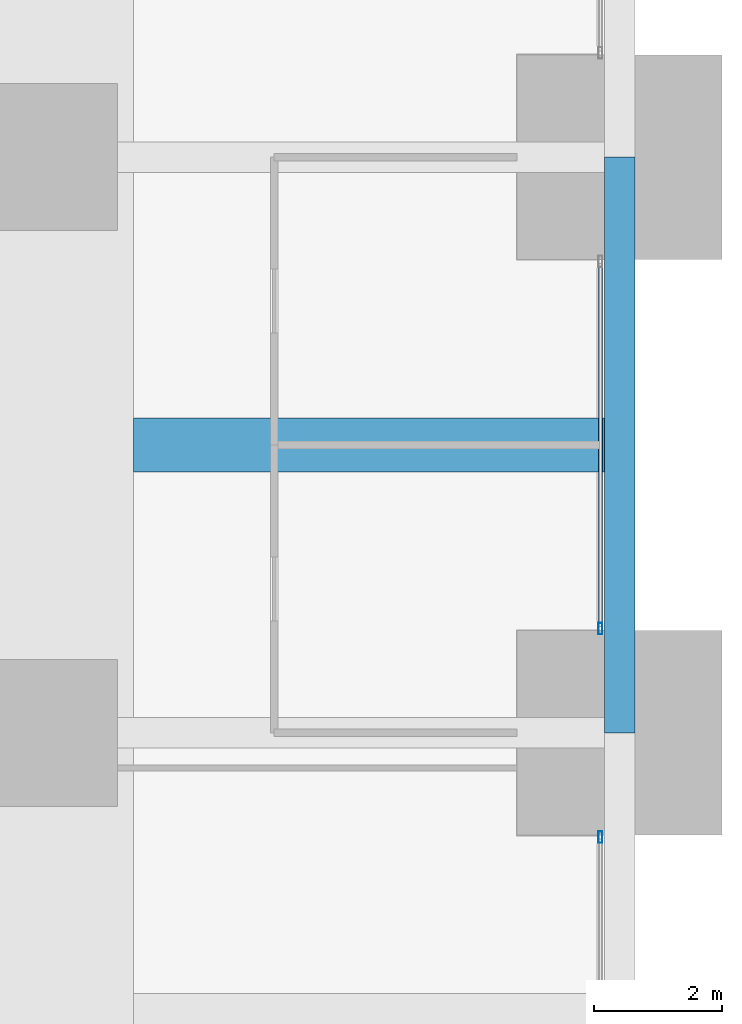
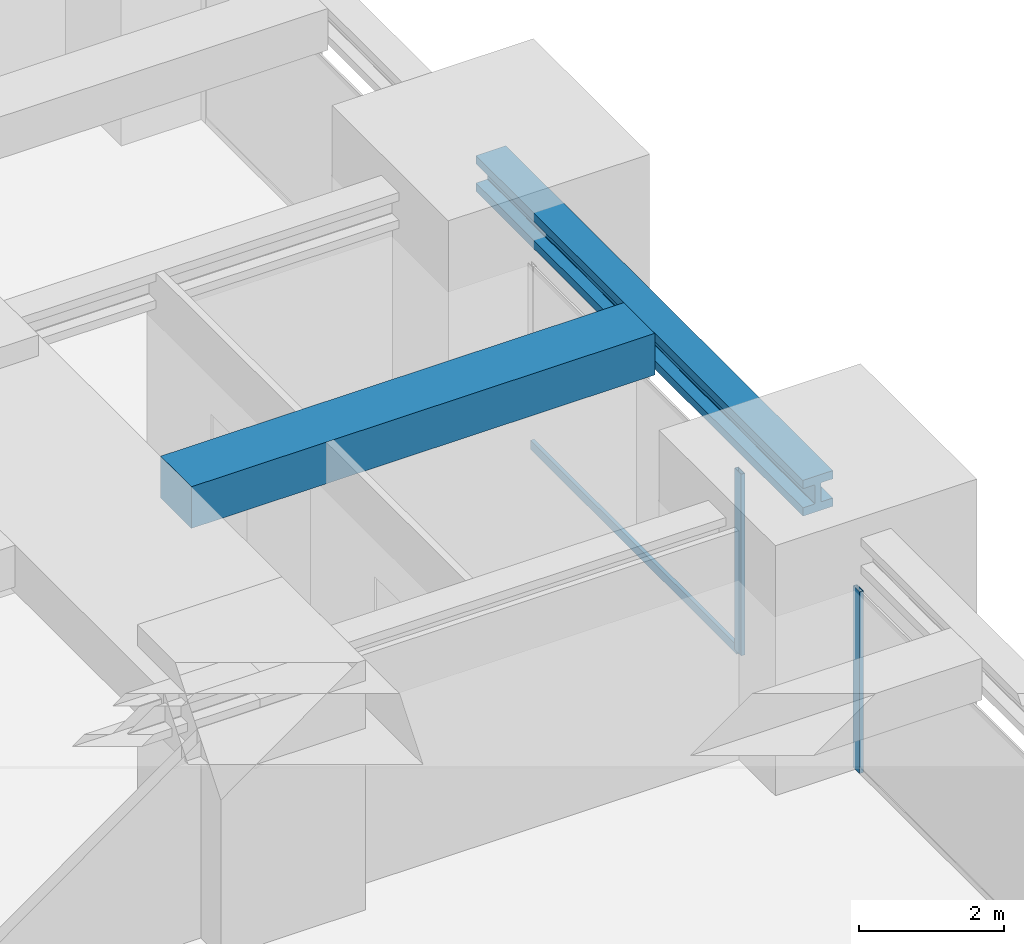
# One storey, part 19 of 42: 3 members, 2 beams, 2 elements without a shape of their own.
"""IFC4 building model written with IfcOpenShell, lengths in metres."""

from ifc_helpers import new_model, si_unit, direction, frame, origin, origin_2d, place, context, subcontext, project, spatial, rectangle, hollow_rectangle, i_section, extrude, material, material_profile, profile_set, type_object, element, aggregate, save


model = new_model("IFC4")

# Units and contexts
model_context = context("Model", 3, precision=1e-05, world=origin(), true_north=direction((0.0, 1.0)))
body_context = subcontext(model_context, "Body", "Model", "MODEL_VIEW")
ifc_project = project(units=[si_unit("LENGTHUNIT", "METRE"), si_unit("AREAUNIT", "SQUARE_METRE"), si_unit("VOLUMEUNIT", "CUBIC_METRE"), si_unit("PLANEANGLEUNIT", "RADIAN"), si_unit("MASSUNIT", "GRAM", prefix="KILO")], contexts=[model_context])

# Site, building, storey
site_placement = place(None, origin())
site = spatial("IfcSite", under=ifc_project, at=site_placement, CompositionType="ELEMENT")
building_placement = place(site_placement, origin())
building = spatial("IfcBuilding", under=site, at=building_placement, Name="Zorevar Civic Tower", CompositionType="ELEMENT")
storey_placement = place(building_placement, frame((0.0, 0.0, 75.800048828125)))
storey = spatial("IfcBuildingStorey", under=building, at=storey_placement, Name="L18", CompositionType="ELEMENT", Elevation=75.800048828125)

# Beams
ifc_material_1 = material(Name="Concrete C50/60", Category="concrete")
ifc_material_profile_1 = material_profile(ifc_material_1, rectangle(XDim=0.85009765625, YDim=0.699951171875, at=origin_2d()), Name="RC 850x700")
ifc_profile_set_1 = profile_set([ifc_material_profile_1], Name="Concrete C50/60")
beam_type_1 = type_object("IfcBeamType", Name="Beam RC 850x700", PredefinedType="BEAM", material=ifc_profile_set_1)
beam_1_placement = place(storey_placement, frame((55.39990234375, 22.5, 3.5), z_axis=(1.0, 0.0, 0.0), x_axis=(0.0, 1.0, 0.0)))
element("IfcBeam", 1, at=beam_1_placement, inside=storey, type_object=beam_type_1, Name="Secondary beam L19", PredefinedType="BEAM", context=body_context, shape_type="SweptSolid", body=[
    extrude(rectangle(XDim=0.85009765625, YDim=0.699951171875, at=origin_2d()), origin(), (0.0, 0.0, 1.0), 7.362060546875),
])
ifc_material_2 = material(Name="Steel S460M (HISTAR 460)", Category="steel")
ifc_material_profile_2 = material_profile(ifc_material_2, i_section(OverallWidth=0.47607421875, OverallDepth=0.60009765625, WebThickness=0.10009765625, FlangeThickness=0.139892578125, FilletRadius=0.014892578125, at=origin_2d()), Name="HD 400x1299")
ifc_profile_set_2 = profile_set([ifc_material_profile_2], Name="Steel S460M (HISTAR 460)")
beam_type_2 = type_object("IfcBeamType", Name="Belt chord HD 400x1299", PredefinedType="BEAM", material=ifc_profile_set_2)
beam_2_placement = place(storey_placement, frame((63.0, 18.0, 3.550048828125), z_axis=(0.0, 1.0, 0.0), x_axis=(-1.0, 0.0, 0.0)))
element("IfcBeam", 2, at=beam_2_placement, inside=storey, type_object=beam_type_2, Name="Belt chord L19", PredefinedType="BEAM", context=body_context, shape_type="SweptSolid", body=[
    extrude(i_section(OverallWidth=0.47607421875, OverallDepth=0.60009765625, WebThickness=0.10009765625, FlangeThickness=0.139892578125, FilletRadius=0.014892578125, at=origin_2d()), origin(), (0.0, 0.0, 1.0), 9.0),
])

# Curtain wall, member
ifc_material_3 = material(Name="Dark grey solar-control glass in black aluminium frame", Category="aluminium")
curtain_wall_type = type_object("IfcCurtainWallType", Name="Curtain wall CW2 low zone", PredefinedType="NOTDEFINED", material=ifc_material_3)
curtain_wall_1_placement = place(storey_placement, origin())
curtain_wall_1 = element("IfcCurtainWall", 3, at=curtain_wall_1_placement, inside=storey, type_object=curtain_wall_type, Name="CW2 L18", PredefinedType="NOTDEFINED")
ifc_material_4 = material(Name="Aluminium, black anodised", Category="aluminium")
ifc_material_profile_3 = material_profile(ifc_material_4, hollow_rectangle(XDim=0.06005859375, YDim=0.179931640625, WallThickness=0.00390625, at=origin_2d()), Name="AL 180x60x4")
ifc_profile_set_3 = profile_set([ifc_material_profile_3], Name="Aluminium, black anodised")
member_type_1 = type_object("IfcMemberType", Name="CW2 mullion AL 180x60x4", PredefinedType="MULLION", material=ifc_profile_set_3)
member_1_placement = place(storey_placement, frame((62.699951171875, 16.3701171875, 0.0), z_axis=(0.0, 0.0, 1.0), x_axis=(-1.0, 0.0, 0.0)))
member_1 = element("IfcMember", 4, at=member_1_placement, type_object=member_type_1, Name="CW2 mullion 2", PredefinedType="MULLION", context=body_context, shape_type="SweptSolid", body=[
    extrude(hollow_rectangle(XDim=0.06005859375, YDim=0.179931640625, WallThickness=0.00390625, at=origin_2d()), origin(), (0.0, 0.0, 1.0), 3.050048828125),
])
aggregate(curtain_wall_1, [member_1])

# Curtain wall, members
curtain_wall_2_placement = place(storey_placement, origin())
curtain_wall_2 = element("IfcCurtainWall", 5, at=curtain_wall_2_placement, inside=storey, type_object=curtain_wall_type, Name="CW2 L18", PredefinedType="NOTDEFINED")
member_2_placement = place(storey_placement, frame((62.699951171875, 19.6298828125, 0.0), z_axis=(0.0, 0.0, 1.0), x_axis=(-1.0, 0.0, 0.0)))
member_2 = element("IfcMember", 6, at=member_2_placement, type_object=member_type_1, Name="CW2 mullion 1", PredefinedType="MULLION", context=body_context, shape_type="SweptSolid", body=[
    extrude(hollow_rectangle(XDim=0.06005859375, YDim=0.179931640625, WallThickness=0.00390625, at=origin_2d()), origin(), (0.0, 0.0, 1.0), 3.050048828125),
])
ifc_material_5 = material(Name="Aluminium, black anodised", Category="aluminium")
ifc_material_profile_4 = material_profile(ifc_material_5, hollow_rectangle(XDim=0.06005859375, YDim=0.14990234375, WallThickness=0.00390625, at=origin_2d()), Name="AL 150x60x4")
ifc_profile_set_4 = profile_set([ifc_material_profile_4], Name="Aluminium, black anodised")
member_type_2 = type_object("IfcMemberType", Name="CW2 transom AL 150x60x4", PredefinedType="USERDEFINED", material=ifc_profile_set_4)
member_3_placement = place(storey_placement, frame((62.699951171875, 19.659912109375, 0.030029296875), z_axis=(0.0, 1.0, 0.0), x_axis=(-1.0, 0.0, 0.0)))
member_3 = element("IfcMember", 7, at=member_3_placement, type_object=member_type_2, Name="CW2 sill transom", ObjectType="TRANSOM", PredefinedType="USERDEFINED", context=body_context, shape_type="SweptSolid", body=[
    extrude(hollow_rectangle(XDim=0.06005859375, YDim=0.14990234375, WallThickness=0.00390625, at=origin_2d()), origin(), (0.0, 0.0, 1.0), 5.68017578125),
])
aggregate(curtain_wall_2, [member_2, member_3])

save(model, "model.ifc")
